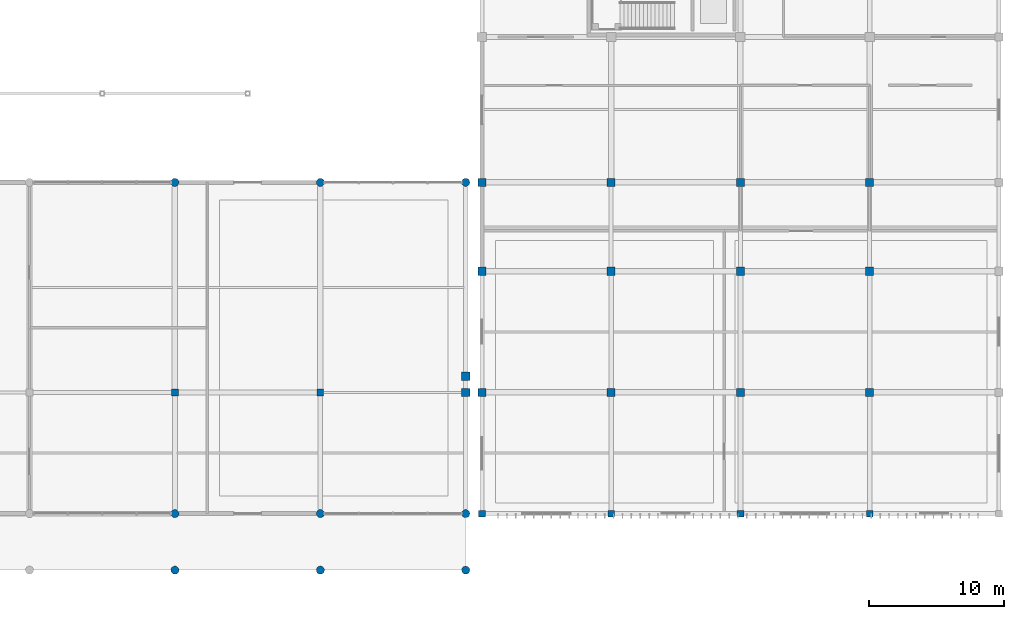
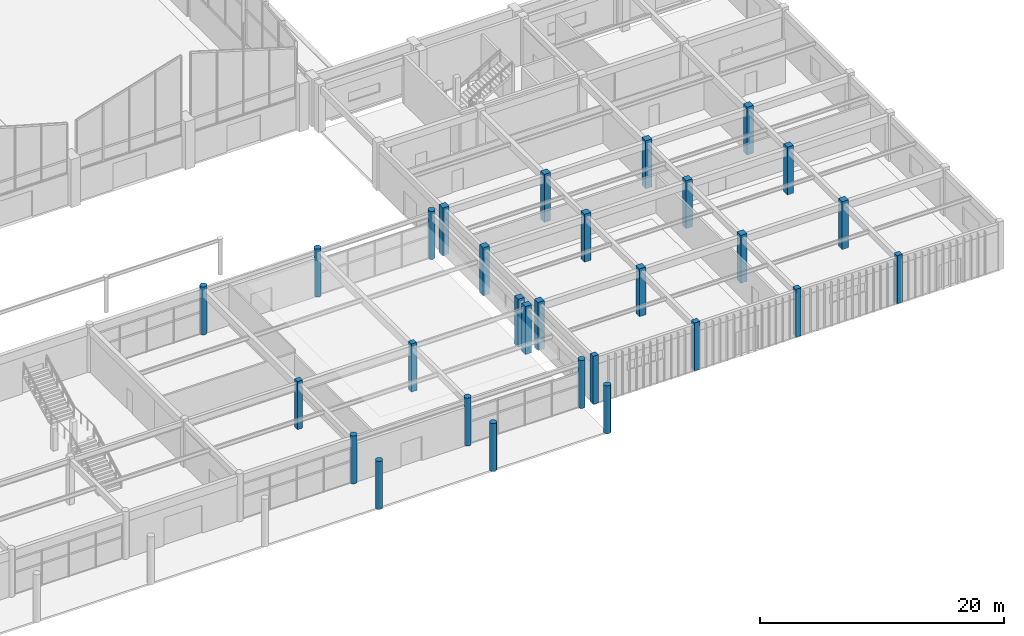
# One storey, part 9 of 82: 29 columns.
"""IFC4 building model written with IfcOpenShell, lengths in metres."""

from ifc_helpers import new_model, si_unit, direction, frame, origin, origin_2d, place, context, subcontext, project, spatial, rectangle, circle, extrude, material, material_profile, profile_set, type_object, element, save


model = new_model("IFC4")

# Units and contexts
model_context = context("Model", 3, precision=1e-05, world=origin(), true_north=direction((0.0, 1.0)))
body_context = subcontext(model_context, "Body", "Model", "MODEL_VIEW")
ifc_project = project(units=[si_unit("LENGTHUNIT", "METRE"), si_unit("AREAUNIT", "SQUARE_METRE"), si_unit("VOLUMEUNIT", "CUBIC_METRE"), si_unit("PLANEANGLEUNIT", "RADIAN"), si_unit("MASSUNIT", "GRAM", prefix="KILO")], contexts=[model_context])

# Site, building, storey
site_placement = place(None, origin())
site = spatial("IfcSite", under=ifc_project, at=site_placement, CompositionType="ELEMENT")
building_placement = place(site_placement, origin())
building = spatial("IfcBuilding", under=site, at=building_placement, Name="Suirenkawa Promenade Aquatics Centre", CompositionType="ELEMENT")
storey_placement = place(building_placement, origin())
storey = spatial("IfcBuildingStorey", under=building, at=storey_placement, Name="L00", CompositionType="ELEMENT", Elevation=0.0)

# Columns
ifc_material = material(Name="Concrete M40", Category="concrete")
ifc_material_profile_1 = material_profile(ifc_material, circle(Radius=0.300048828125, at=origin_2d()), Name="RC FOYER D600", Category="concrete")
ifc_profile_set_1 = profile_set([ifc_material_profile_1], Name="Concrete M40")
column_type_1 = type_object("IfcColumnType", Name="CT-FOYER-D600", PredefinedType="COLUMN", material=ifc_profile_set_1)
for number, where, z_axis, x_axis, name in (
    (1, (133.199951171875, 0.0, 0.0), (0.0, 0.0, 1.0), (1.0, 0.0, 0.0), "Column CL-11 COL-0864"),
    (2, (133.199951171875, 4.199951171875, 0.0), (0.0, 0.0, 1.0), (1.0, 0.0, 0.0), "Column CL-11 COL-0867"),
    (3, (133.199951171875, 28.800048828125, 0.0), (0.0, 0.0, 1.0), (1.0, 0.0, 0.0), "Column CL-11 COL-0873"),
    (4, (144.0, 0.0, 0.0), (0.0, 0.0, 1.0), (1.0, 0.0, 0.0), "Column CL-11 COL-0876"),
    (5, (144.0, 4.199951171875, 0.0), (0.0, 0.0, 1.0), (1.0, 0.0, 0.0), "Column CL-11 COL-0879"),
    (6, (144.0, 28.800048828125, 0.0), (0.0, 0.0, 1.0), (1.0, 0.0, 0.0), "Column CL-11 COL-0885"),
    (7, (154.800048828125, 0.0, 0.0), (0.0, 0.0, 1.0), (1.0, 0.0, 0.0), "Column CL-11 COL-0888"),
    (8, (154.800048828125, 4.199951171875, 0.0), (0.0, 0.0, 1.0), (1.0, 0.0, 0.0), "Column CL-11 COL-0891"),
    (9, (154.800048828125, 28.800048828125, 0.0), (0.0, 0.0, 1.0), (1.0, 0.0, 0.0), "Column CL-11 COL-0894"),
):
    element("IfcColumn", number, at=place(storey_placement, frame(where, z_axis=z_axis, x_axis=x_axis)), inside=storey, type_object=column_type_1, Name=name, PredefinedType="COLUMN", context=body_context, shape_type="SweptSolid", body=[
        extrude(circle(Radius=0.300048828125, at=origin_2d()), origin(), (0.0, 0.0, 1.0), 4.800048828125),
    ])
ifc_material_profile_2 = material_profile(ifc_material, rectangle(XDim=0.5, YDim=0.5, at=origin_2d()), Name="RC COL 500x500", Category="concrete")
ifc_profile_set_2 = profile_set([ifc_material_profile_2], Name="Concrete M40")
column_type_2 = type_object("IfcColumnType", Name="CT-RC-500", PredefinedType="COLUMN", material=ifc_profile_set_2)
for number, where, z_axis, x_axis, name in (
    (10, (133.199951171875, 13.199951171875, 0.0), (0.0, 0.0, 1.0), (1.0, 0.0, 0.0), "Column CL-02 COL-0870"),
    (11, (144.0, 13.199951171875, 0.0), (0.0, 0.0, 1.0), (1.0, 0.0, 0.0), "Column CL-02 COL-0882"),
    (12, (156.0, 4.199951171875, 0.0), (0.0, 0.0, 1.0), (1.0, 0.0, 0.0), "Column CL-02 COL-0921"),
    (13, (165.60009765625, 4.199951171875, 0.0), (0.0, 0.0, 1.0), (1.0, 0.0, 0.0), "Column CL-02 COL-0924"),
    (14, (175.199951171875, 4.199951171875, 0.0), (0.0, 0.0, 1.0), (1.0, 0.0, 0.0), "Column CL-02 COL-0927"),
    (15, (184.800048828125, 4.199951171875, 0.0), (0.0, 0.0, 1.0), (1.0, 0.0, 0.0), "Column CL-02 COL-0930"),
):
    element("IfcColumn", number, at=place(storey_placement, frame(where, z_axis=z_axis, x_axis=x_axis)), inside=storey, type_object=column_type_2, Name=name, PredefinedType="COLUMN", context=body_context, shape_type="SweptSolid", body=[
        extrude(rectangle(XDim=0.5, YDim=0.5, at=origin_2d()), origin(), (0.0, 0.0, 1.0), 4.800048828125),
    ])
ifc_material_profile_3 = material_profile(ifc_material, rectangle(XDim=0.60009765625, YDim=0.60009765625, at=origin_2d()), Name="RC COL 600x600", Category="concrete")
ifc_profile_set_3 = profile_set([ifc_material_profile_3], Name="Concrete M40")
column_type_3 = type_object("IfcColumnType", Name="CT-RC-600", PredefinedType="COLUMN", material=ifc_profile_set_3)
for number, where, z_axis, x_axis, name in (
    (16, (154.800048828125, 13.199951171875, 0.0), (0.0, 0.0, 1.0), (1.0, 0.0, 0.0), "Column CL-03 COL-0641"),
    (17, (154.800048828125, 14.39990234375, 0.0), (0.0, 0.0, 1.0), (1.0, 0.0, 0.0), "Column CL-03 COL-0645"),
    (18, (156.0, 13.199951171875, 0.0), (0.0, 0.0, 1.0), (1.0, 0.0, 0.0), "Column CL-03 COL-0649"),
    (19, (156.0, 22.199951171875, 0.0), (0.0, 0.0, 1.0), (1.0, 0.0, 0.0), "Column CL-03 COL-0653"),
    (20, (156.0, 28.800048828125, 0.0), (0.0, 0.0, 1.0), (1.0, 0.0, 0.0), "Column CL-03 COL-0657"),
    (21, (165.60009765625, 13.199951171875, 0.0), (0.0, 0.0, 1.0), (1.0, 0.0, 0.0), "Column CL-03 COL-0661"),
    (22, (165.60009765625, 22.199951171875, 0.0), (0.0, 0.0, 1.0), (1.0, 0.0, 0.0), "Column CL-03 COL-0665"),
    (23, (165.60009765625, 28.800048828125, 0.0), (0.0, 0.0, 1.0), (1.0, 0.0, 0.0), "Column CL-03 COL-0669"),
    (24, (175.199951171875, 13.199951171875, 0.0), (0.0, 0.0, 1.0), (1.0, 0.0, 0.0), "Column CL-03 COL-0673"),
    (25, (175.199951171875, 22.199951171875, 0.0), (0.0, 0.0, 1.0), (1.0, 0.0, 0.0), "Column CL-03 COL-0677"),
    (26, (175.199951171875, 28.800048828125, 0.0), (0.0, 0.0, 1.0), (1.0, 0.0, 0.0), "Column CL-03 COL-0681"),
    (27, (184.800048828125, 13.199951171875, 0.0), (0.0, 0.0, 1.0), (1.0, 0.0, 0.0), "Column CL-03 COL-0685"),
    (28, (184.800048828125, 22.199951171875, 0.0), (0.0, 0.0, 1.0), (1.0, 0.0, 0.0), "Column CL-03 COL-0689"),
    (29, (184.800048828125, 28.800048828125, 0.0), (0.0, 0.0, 1.0), (1.0, 0.0, 0.0), "Column CL-03 COL-0693"),
):
    element("IfcColumn", number, at=place(storey_placement, frame(where, z_axis=z_axis, x_axis=x_axis)), inside=storey, type_object=column_type_3, Name=name, PredefinedType="COLUMN", context=body_context, shape_type="SweptSolid", body=[
        extrude(rectangle(XDim=0.60009765625, YDim=0.60009765625, at=origin_2d()), origin(), (0.0, 0.0, 1.0), 4.800048828125),
    ])

save(model, "model.ifc")
